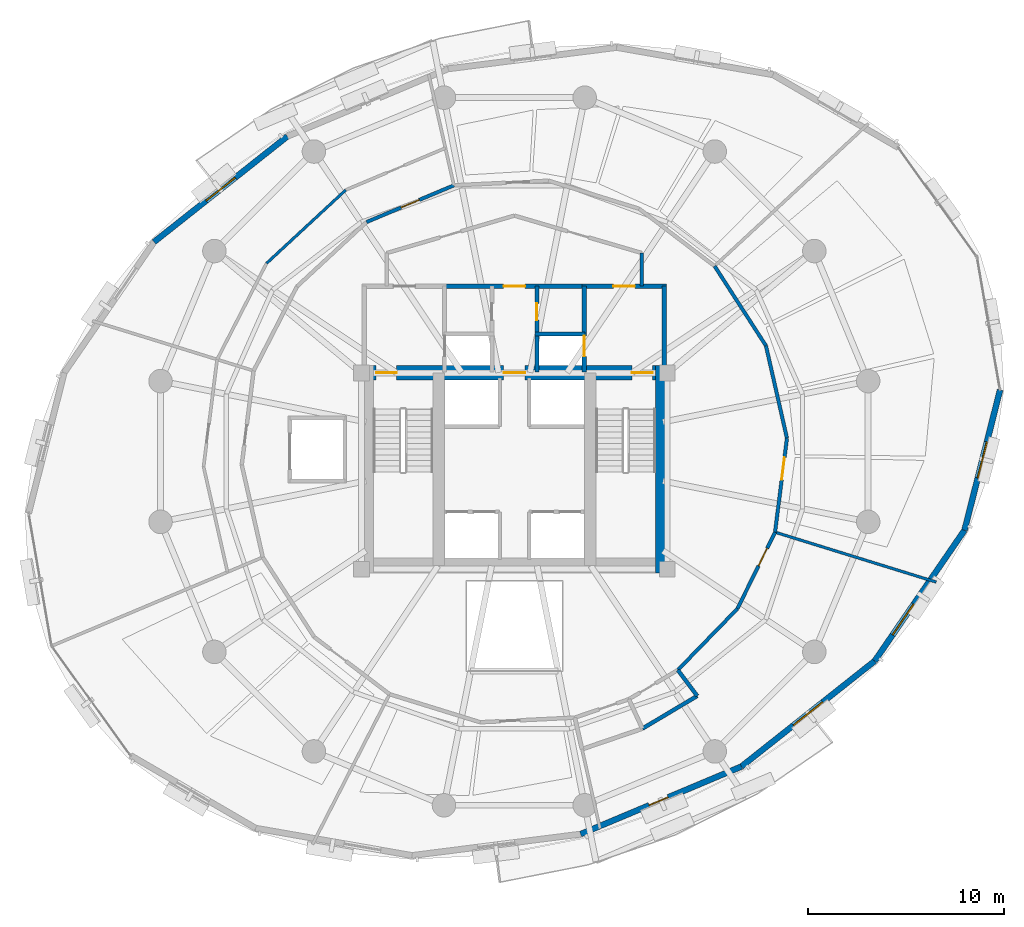
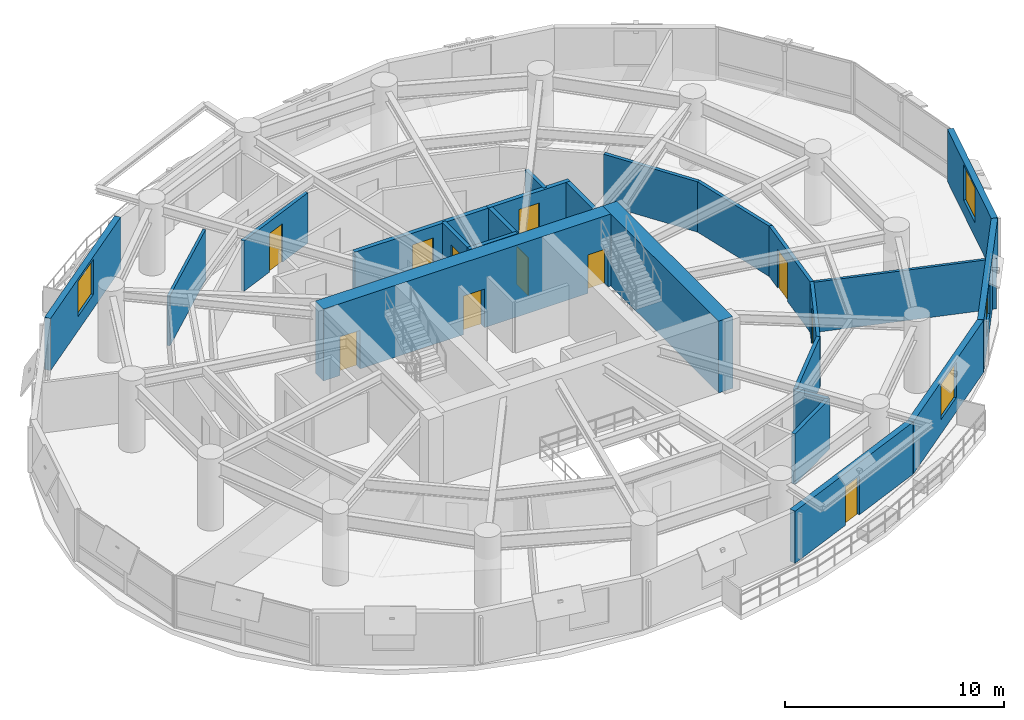
# One storey, part 11 of 14: 24 walls, 11 doors, 4 windows, 15 openings.
"""IFC4 building model written with IfcOpenShell, lengths in metres."""

from ifc_helpers import new_model, si_unit, direction, frame, frame_2d, origin, place, context, subcontext, project, spatial, rectangle, extrude, material, layer, layer_set, type_object, element, fill, save


model = new_model("IFC4")

# Units and contexts
model_context = context("Model", 3, precision=1e-05, world=origin(), true_north=direction((0.0, 1.0)))
body_context = subcontext(model_context, "Body", "Model", "MODEL_VIEW")
ifc_project = project(units=[si_unit("LENGTHUNIT", "METRE"), si_unit("AREAUNIT", "SQUARE_METRE"), si_unit("VOLUMEUNIT", "CUBIC_METRE"), si_unit("PLANEANGLEUNIT", "RADIAN"), si_unit("MASSUNIT", "GRAM", prefix="KILO"), si_unit("THERMODYNAMICTEMPERATUREUNIT", "KELVIN"), si_unit("POWERUNIT", "WATT")], contexts=[model_context])

# Site, building, storey
site_placement = place(None, origin())
site = spatial("IfcSite", under=ifc_project, at=site_placement, CompositionType="ELEMENT")
building_placement = place(site_placement, origin())
building = spatial("IfcBuilding", under=site, at=building_placement, Name="Ocrelia Relay Tower", CompositionType="ELEMENT")
storey_placement = place(building_placement, frame((0.0, 0.0, 129.800048828125)))
storey = spatial("IfcBuildingStorey", under=building, at=storey_placement, Name="L30", CompositionType="ELEMENT", Elevation=129.800048828125)

# Wall, openings, doors
ifc_material_1 = material(Name="Concrete C60/75", Category="concrete")
ifc_layer_1 = layer(ifc_material_1, 0.75, Name="Concrete C60/75")
ifc_layer_set_1 = layer_set([ifc_layer_1], Name="Concrete C60/75")
wall_type_1 = type_object("IfcWallType", Name="CW-CORE-750", PredefinedType="SHEAR", material=ifc_layer_set_1)
wall_1_placement = place(storey_placement, frame((26.072021484375, 30.012939453125, 0.0), z_axis=(0.0, 0.0, 1.0), x_axis=(1.0, 0.0, 0.0)))
wall_1 = element("IfcWall", 1, at=wall_1_placement, inside=storey, type_object=wall_type_1, Name="L30 Core Shear Wall N", PredefinedType="SHEAR", context=body_context, shape_type="SweptSolid", body=[
    extrude(rectangle(XDim=15.865966796875, YDim=0.75, at=frame_2d((7.93310546875, 0.0))), origin(), (0.0, 0.0, 1.0), 4.0),
])
opening_1_placement = place(wall_1_placement, frame((0.8779296875, 0.0, 0.0)))
opening_1 = element("IfcOpeningElement", 2, at=opening_1_placement, cuts=wall_1, Name="Opening D-FD90", PredefinedType="OPENING", context=body_context, shape_type="SweptSolid", body=[
    extrude(rectangle(XDim=1.050048828125, YDim=2.14990234375, at=frame_2d((0.52490234375, 1.074951171875))), frame((0.0, 0.385009765625, 0.0), z_axis=(0.0, -1.0, 0.0), x_axis=(1.0, 0.0, 0.0)), (0.0, 0.0, 1.0), 0.77001953125),
])
opening_2_placement = place(wall_1_placement, frame((13.927978515625, 0.0, 0.0)))
opening_2 = element("IfcOpeningElement", 3, at=opening_2_placement, cuts=wall_1, Name="Opening D-FD90", PredefinedType="OPENING", context=body_context, shape_type="SweptSolid", body=[
    extrude(rectangle(XDim=1.050048828125, YDim=2.14990234375, at=frame_2d((0.52490234375, 1.074951171875))), frame((0.0, 0.385009765625, 0.0), z_axis=(0.0, -1.0, 0.0), x_axis=(1.0, 0.0, 0.0)), (0.0, 0.0, 1.0), 0.77001953125),
])
opening_3_placement = place(wall_1_placement, frame((7.3779296875, 0.0, 0.0)))
opening_3 = element("IfcOpeningElement", 4, at=opening_3_placement, cuts=wall_1, Name="Opening D-FD60", PredefinedType="OPENING", context=body_context, shape_type="SweptSolid", body=[
    extrude(rectangle(XDim=1.10009765625, YDim=2.14990234375, at=frame_2d((0.550048828125, 1.074951171875))), frame((0.0, 0.385009765625, 0.0), z_axis=(0.0, -1.0, 0.0), x_axis=(1.0, 0.0, 0.0)), (0.0, 0.0, 1.0), 0.77001953125),
])
ifc_material_2 = material(Name="Timber-core 60-min acoustic fire door", Category="wood")
door_type_1 = type_object("IfcDoorType", Name="DR-LOBBY-FD60-1100", OperationType="NOTDEFINED", PredefinedType="DOOR", material=ifc_material_2)
door_1_placement = place(opening_3_placement, origin())
door_1 = element("IfcDoor", 5, at=door_1_placement, inside=storey, type_object=door_type_1, Name="L30 Core Lift Lobby North Fire Door", OperationType="SINGLE_SWING_RIGHT", OverallHeight=2.14990234375, OverallWidth=1.10009765625, PredefinedType="DOOR", context=body_context, shape_type="SweptSolid", body=[
    extrude(rectangle(XDim=1.10009765625, YDim=2.14990234375, at=frame_2d((0.550048828125, 1.074951171875))), frame((0.0, 0.02490234375, 0.0), z_axis=(0.0, -1.0, 0.0), x_axis=(1.0, 0.0, 0.0)), (0.0, 0.0, 1.0), 0.050048828125),
])
fill(opening_3, door_1)
ifc_material_3 = material(Name="Steel S355 90-min fire door", Category="steel")
door_type_2 = type_object("IfcDoorType", Name="DR-STAIR-FD90-1050", OperationType="NOTDEFINED", PredefinedType="DOOR", material=ifc_material_3)
door_2_placement = place(opening_1_placement, origin())
door_2 = element("IfcDoor", 6, at=door_2_placement, inside=storey, type_object=door_type_2, Name="L30 Stair ST1 Fire Door", OperationType="SINGLE_SWING_RIGHT", OverallHeight=2.14990234375, OverallWidth=1.050048828125, PredefinedType="DOOR", context=body_context, shape_type="SweptSolid", body=[
    extrude(rectangle(XDim=1.050048828125, YDim=2.14990234375, at=frame_2d((0.52490234375, 1.074951171875))), frame((0.0, 0.02490234375, 0.0), z_axis=(0.0, -1.0, 0.0), x_axis=(1.0, 0.0, 0.0)), (0.0, 0.0, 1.0), 0.050048828125),
])
fill(opening_1, door_2)
door_3_placement = place(opening_2_placement, origin())
door_3 = element("IfcDoor", 7, at=door_3_placement, inside=storey, type_object=door_type_2, Name="L30 Stair ST2 Fire Door", OperationType="SINGLE_SWING_LEFT", OverallHeight=2.14990234375, OverallWidth=1.050048828125, PredefinedType="DOOR", context=body_context, shape_type="SweptSolid", body=[
    extrude(rectangle(XDim=1.050048828125, YDim=2.14990234375, at=frame_2d((0.52490234375, 1.074951171875))), frame((0.0, 0.02490234375, 0.0), z_axis=(0.0, -1.0, 0.0), x_axis=(1.0, 0.0, 0.0)), (0.0, 0.0, 1.0), 0.050048828125),
])
fill(opening_2, door_3)

# Walls
wall_2_placement = place(storey_placement, frame((41.56298828125, 19.81201171875, 0.0), z_axis=(0.0, 0.0, 1.0), x_axis=(0.0, 1.0, 0.0)))
element("IfcWall", 8, at=wall_2_placement, inside=storey, type_object=wall_type_1, Name="L30 Core Shear Wall E", PredefinedType="SHEAR", context=body_context, shape_type="SweptSolid", body=[
    extrude(rectangle(XDim=10.575927734375, YDim=0.75, at=frame_2d((5.2880859375, 0.0))), origin(), (0.0, 0.0, 1.0), 4.0),
])
ifc_material_4 = material(Name="Gypsum Fireboard Partition EI60", Category="gypsum")
ifc_layer_2 = layer(ifc_material_4, 0.179931640625, Name="Gypsum Fireboard Partition EI60")
ifc_layer_set_2 = layer_set([ifc_layer_2], Name="Gypsum Fireboard Partition EI60")
wall_type_2 = type_object("IfcWallType", Name="W-CORR-EI60-180", PredefinedType="PARTITIONING", material=ifc_layer_set_2)
wall_3_placement = place(storey_placement, frame((40.5, 36.122802734375, 0.0), z_axis=(0.0, 0.0, 1.0), x_axis=(0.0, -1.0, 0.0)))
element("IfcWall", 9, at=wall_3_placement, inside=storey, type_object=wall_type_2, Name="L30 Smoke Lobby East Return", PredefinedType="PARTITIONING", context=body_context, shape_type="SweptSolid", body=[
    extrude(rectangle(XDim=1.69287109375, YDim=0.179931640625, at=frame_2d((0.846435546875, 0.0))), origin(), (0.0, 0.0, 1.0), 2.800048828125),
])
wall_4_placement = place(storey_placement, frame((42.33837890625, 14.853759765625, 0.0), z_axis=(0.0, 0.0, 1.0), x_axis=(0.697172044259, 0.716903857364, 0.0)))
element("IfcWall", 10, at=wall_4_placement, inside=storey, type_object=wall_type_2, Name="L30 Fiber Patch Store Corridor Partition 1", PredefinedType="PARTITIONING", context=body_context, shape_type="SweptSolid", body=[
    extrude(rectangle(XDim=4.355224609375, YDim=0.179931640625, at=frame_2d((2.177734375, 0.0))), origin(), (0.0, 0.0, 1.0), 2.800048828125),
])

# Wall, opening, door
wall_5_placement = place(storey_placement, frame((45.374755859375, 17.97607421875, 0.0), z_axis=(0.0, 0.0, 1.0), x_axis=(0.441509083926, 0.897256779752, 0.0)))
wall_5 = element("IfcWall", 11, at=wall_5_placement, inside=storey, type_object=wall_type_2, Name="L30 Fiber Patch Store Corridor Partition 2", PredefinedType="PARTITIONING", context=body_context, shape_type="SweptSolid", body=[
    extrude(rectangle(XDim=4.355224609375, YDim=0.179931640625, at=frame_2d((2.177734375, 0.0))), origin(), (0.0, 0.0, 1.0), 2.800048828125),
])
opening_4_placement = place(wall_5_placement, frame((2.44140625, 0.0, 0.0)))
opening_4 = element("IfcOpeningElement", 12, at=opening_4_placement, cuts=wall_5, Name="Opening D-RM100", PredefinedType="OPENING", context=body_context, shape_type="SweptSolid", body=[
    extrude(rectangle(XDim=1.0, YDim=2.14990234375, at=frame_2d((0.5, 1.074951171875))), frame((0.0, 0.10009765625, 0.0), z_axis=(0.0, -1.0, 0.0), x_axis=(1.0, 0.0, 0.0)), (0.0, 0.0, 1.0), 0.199951171875),
])
ifc_material_5 = material(Name="Acoustic oak veneer fire door", Category="wood")
door_type_3 = type_object("IfcDoorType", Name="DR-ROOM-FD60-1000", OperationType="NOTDEFINED", PredefinedType="DOOR", material=ifc_material_5)
door_4_placement = place(opening_4_placement, origin())
door_4 = element("IfcDoor", 13, at=door_4_placement, inside=storey, type_object=door_type_3, Name="L30 Fiber Patch Store Entrance Door", OperationType="SINGLE_SWING_RIGHT", OverallHeight=2.14990234375, OverallWidth=1.0, PredefinedType="DOOR", context=body_context, shape_type="SweptSolid", body=[
    extrude(rectangle(XDim=1.0, YDim=2.14990234375, at=frame_2d((0.5, 1.074951171875))), frame((0.0, 0.02490234375, 0.0), z_axis=(0.0, -1.0, 0.0), x_axis=(1.0, 0.0, 0.0)), (0.0, 0.0, 1.0), 0.050048828125),
])
fill(opening_4, door_4)

wall_6_placement = place(storey_placement, frame((47.297607421875, 21.8837890625, 0.0), z_axis=(0.0, 0.0, 1.0), x_axis=(0.125296416972, 0.992119351638, 0.0)))
wall_6 = element("IfcWall", 14, at=wall_6_placement, inside=storey, type_object=wall_type_2, Name="L30 Optical Switching Hall A Corridor Partition 1", PredefinedType="PARTITIONING", context=body_context, shape_type="SweptSolid", body=[
    extrude(rectangle(XDim=4.834228515625, YDim=0.179931640625, at=frame_2d((2.4169921875, 0.0))), origin(), (0.0, 0.0, 1.0), 2.800048828125),
])
opening_5_placement = place(wall_6_placement, frame((2.688232421875, 0.0, 0.0)))
opening_5 = element("IfcOpeningElement", 15, at=opening_5_placement, cuts=wall_6, Name="Opening D-RM115", PredefinedType="OPENING", context=body_context, shape_type="SweptSolid", body=[
    extrude(rectangle(XDim=1.14990234375, YDim=2.14990234375, at=frame_2d((0.574951171875, 1.074951171875))), frame((0.0, 0.10009765625, 0.0), z_axis=(0.0, -1.0, 0.0), x_axis=(1.0, 0.0, 0.0)), (0.0, 0.0, 1.0), 0.199951171875),
])
ifc_material_6 = material(Name="Wide acoustic oak veneer fire door", Category="wood")
door_type_4 = type_object("IfcDoorType", Name="DR-ROOM-1150", OperationType="NOTDEFINED", PredefinedType="DOOR", material=ifc_material_6)
door_5_placement = place(opening_5_placement, origin())
door_5 = element("IfcDoor", 16, at=door_5_placement, inside=storey, type_object=door_type_4, Name="L30 Optical Switching Hall A Entrance Door", OperationType="SINGLE_SWING_LEFT", OverallHeight=2.14990234375, OverallWidth=1.14990234375, PredefinedType="DOOR", context=body_context, shape_type="SweptSolid", body=[
    extrude(rectangle(XDim=1.14990234375, YDim=2.14990234375, at=frame_2d((0.574951171875, 1.074951171875))), frame((0.0, 0.02490234375, 0.0), z_axis=(0.0, -1.0, 0.0), x_axis=(1.0, 0.0, 0.0)), (0.0, 0.0, 1.0), 0.050048828125),
])
fill(opening_5, door_5)

# Walls
wall_7_placement = place(storey_placement, frame((47.9033203125, 26.679931640625, 0.0), z_axis=(0.0, 0.0, 1.0), x_axis=(-0.221542525612, 0.975150711093, 0.0)))
element("IfcWall", 17, at=wall_7_placement, inside=storey, type_object=wall_type_2, Name="L30 Optical Switching Hall A Corridor Partition 2", PredefinedType="PARTITIONING", context=body_context, shape_type="SweptSolid", body=[
    extrude(rectangle(XDim=4.83447265625, YDim=0.179931640625, at=frame_2d((2.417236328125, 0.0))), origin(), (0.0, 0.0, 1.0), 2.800048828125),
])
wall_8_placement = place(storey_placement, frame((46.832275390625, 31.394287109375, 0.0), z_axis=(0.0, 0.0, 1.0), x_axis=(-0.541732258193, 0.840551105188, 0.0)))
element("IfcWall", 18, at=wall_8_placement, inside=storey, type_object=wall_type_2, Name="L30 Optical Switching Hall A Corridor Partition 3", PredefinedType="PARTITIONING", context=body_context, shape_type="SweptSolid", body=[
    extrude(rectangle(XDim=4.834228515625, YDim=0.179931640625, at=frame_2d((2.4169921875, 0.0))), origin(), (0.0, 0.0, 1.0), 2.800048828125),
])

# Wall, opening, door
wall_9_placement = place(storey_placement, frame((30.916015625, 39.57421875, 0.0), z_axis=(0.0, 0.0, 1.0), x_axis=(-0.921850072215, -0.387546699582, 0.0)))
wall_9 = element("IfcWall", 19, at=wall_9_placement, inside=storey, type_object=wall_type_2, Name="L30 Equipment Staging Store Corridor Partition 1", PredefinedType="PARTITIONING", context=body_context, shape_type="SweptSolid", body=[
    extrude(rectangle(XDim=4.834228515625, YDim=0.179931640625, at=frame_2d((2.4169921875, 0.0))), origin(), (0.0, 0.0, 1.0), 2.800048828125),
])
opening_6_placement = place(wall_9_placement, frame((1.917236328125, 0.0, 0.0)))
opening_6 = element("IfcOpeningElement", 20, at=opening_6_placement, cuts=wall_9, Name="Opening D-RM100", PredefinedType="OPENING", context=body_context, shape_type="SweptSolid", body=[
    extrude(rectangle(XDim=1.0, YDim=2.14990234375, at=frame_2d((0.5, 1.074951171875))), frame((0.0, 0.10009765625, 0.0), z_axis=(0.0, -1.0, 0.0), x_axis=(1.0, 0.0, 0.0)), (0.0, 0.0, 1.0), 0.199951171875),
])
door_6_placement = place(opening_6_placement, origin())
door_6 = element("IfcDoor", 21, at=door_6_placement, inside=storey, type_object=door_type_3, Name="L30 Equipment Staging Store Entrance Door", OperationType="SINGLE_SWING_LEFT", OverallHeight=2.14990234375, OverallWidth=1.0, PredefinedType="DOOR", context=body_context, shape_type="SweptSolid", body=[
    extrude(rectangle(XDim=1.0, YDim=2.14990234375, at=frame_2d((0.5, 1.074951171875))), frame((0.0, 0.02490234375, 0.0), z_axis=(0.0, -1.0, 0.0), x_axis=(1.0, 0.0, 0.0)), (0.0, 0.0, 1.0), 0.050048828125),
])
fill(opening_6, door_6)

# Wall, opening, window
ifc_material_7 = material(Name="Precast concrete C40/50 with oxide terracotta", Category="masonry")
ifc_layer_3 = layer(ifc_material_7, 0.300048828125, Name="Precast concrete C40/50 with oxide terracotta")
ifc_layer_set_3 = layer_set([ifc_layer_3], Name="Precast concrete C40/50 with oxide terracotta")
wall_type_3 = type_object("IfcWallType", Name="W-EXT-TERR-300", PredefinedType="SOLIDWALL", material=ifc_layer_set_3)
wall_10_placement = place(storey_placement, frame((22.422119140625, 42.0712890625, 0.0), z_axis=(0.0, 0.0, 1.0), x_axis=(-0.784011575573, -0.620746203667, 0.0)))
wall_10 = element("IfcWall", 22, at=wall_10_placement, inside=storey, type_object=wall_type_3, Name="L30 Oxide Terracotta Facade Wall 06", PredefinedType="SOLIDWALL", context=body_context, shape_type="SweptSolid", body=[
    extrude(rectangle(XDim=8.673095703125, YDim=0.300048828125, at=frame_2d((4.33642578125, 0.0))), origin(), (0.0, 0.0, 1.0), 2.89990234375),
])
opening_7_placement = place(wall_10_placement, frame((3.385986328125, 0.0, 0.800048828125)))
opening_7 = element("IfcOpeningElement", 23, at=opening_7_placement, cuts=wall_10, Name="Opening W-06", PredefinedType="OPENING", context=body_context, shape_type="SweptSolid", body=[
    extrude(rectangle(XDim=1.89990234375, YDim=1.949951171875, at=frame_2d((0.949951171875, 0.97509765625))), frame((0.0, 0.16015625, 0.0), z_axis=(0.0, -1.0, 0.0), x_axis=(1.0, 0.0, 0.0)), (0.0, 0.0, 1.0), 0.320068359375),
])
ifc_material_8 = material(Name="Clear double-glazed low-E glass", Category="glass")
window_type = type_object("IfcWindowType", Name="WIN-Z2-1900x2100", PartitioningType="DOUBLE_PANEL_VERTICAL", PredefinedType="WINDOW", material=ifc_material_8)
window_1_placement = place(opening_7_placement, origin())
window_1 = element("IfcWindow", 24, at=window_1_placement, inside=storey, type_object=window_type, Name="L30 Facade Module Window 06", OverallHeight=1.949951171875, OverallWidth=1.89990234375, PartitioningType="SINGLE_PANEL", PredefinedType="WINDOW", context=body_context, shape_type="SweptSolid", body=[
    extrude(rectangle(XDim=1.89990234375, YDim=1.949951171875, at=frame_2d((0.949951171875, 0.97509765625))), frame((0.0, 0.030029296875, 0.0), z_axis=(0.0, -1.0, 0.0), x_axis=(1.0, 0.0, 0.0)), (0.0, 0.0, 1.0), 0.06005859375),
])
fill(opening_7, window_1)

# Wall, opening, door
wall_11_placement = place(storey_placement, frame((37.3818359375, 6.4833984375, 0.0), z_axis=(0.0, 0.0, 1.0), x_axis=(0.921862650999, 0.387516777305, 0.0)))
wall_11 = element("IfcWall", 25, at=wall_11_placement, inside=storey, type_object=wall_type_3, Name="L30 Oxide Terracotta Facade Wall 14", PredefinedType="SOLIDWALL", context=body_context, shape_type="SweptSolid", body=[
    extrude(rectangle(XDim=8.890625, YDim=0.300048828125, at=frame_2d((4.4453125, 0.0))), origin(), (0.0, 0.0, 1.0), 2.89990234375),
])
opening_8_placement = place(wall_11_placement, frame((3.7900390625, 0.0, 0.0)))
opening_8 = element("IfcOpeningElement", 26, at=opening_8_placement, cuts=wall_11, Name="Opening DB-105", PredefinedType="OPENING", context=body_context, shape_type="SweptSolid", body=[
    extrude(rectangle(XDim=1.050048828125, YDim=2.14990234375, at=frame_2d((0.52490234375, 1.074951171875))), frame((0.0, 0.16015625, 0.0), z_axis=(0.0, -1.0, 0.0), x_axis=(1.0, 0.0, 0.0)), (0.0, 0.0, 1.0), 0.320068359375),
])
ifc_material_9 = material(Name="Thermally broken aluminium and clear glass", Category="aluminium")
door_type_5 = type_object("IfcDoorType", Name="DR-BALC-1050", OperationType="NOTDEFINED", PredefinedType="DOOR", material=ifc_material_9)
door_7_placement = place(opening_8_placement, origin())
door_7 = element("IfcDoor", 27, at=door_7_placement, inside=storey, type_object=door_type_5, Name="L30 Planted Loggia Balcony Door B2", OperationType="SINGLE_SWING_LEFT", OverallHeight=2.14990234375, OverallWidth=1.050048828125, PredefinedType="DOOR", context=body_context, shape_type="SweptSolid", body=[
    extrude(rectangle(XDim=1.050048828125, YDim=2.14990234375, at=frame_2d((0.52490234375, 1.074951171875))), frame((0.0, 0.02490234375, 0.0), z_axis=(0.0, -1.0, 0.0), x_axis=(1.0, 0.0, 0.0)), (0.0, 0.0, 1.0), 0.050048828125),
])
fill(opening_8, door_7)

# Wall, opening, window
wall_12_placement = place(storey_placement, frame((45.577880859375, 9.9287109375, 0.0), z_axis=(0.0, 0.0, 1.0), x_axis=(0.784011575573, 0.620746203667, 0.0)))
wall_12 = element("IfcWall", 28, at=wall_12_placement, inside=storey, type_object=wall_type_3, Name="L30 Oxide Terracotta Facade Wall 15", PredefinedType="SOLIDWALL", context=body_context, shape_type="SweptSolid", body=[
    extrude(rectangle(XDim=8.673095703125, YDim=0.300048828125, at=frame_2d((4.33642578125, 0.0))), origin(), (0.0, 0.0, 1.0), 2.89990234375),
])
opening_9_placement = place(wall_12_placement, frame((3.385986328125, 0.0, 0.800048828125)))
opening_9 = element("IfcOpeningElement", 29, at=opening_9_placement, cuts=wall_12, Name="Opening W-06", PredefinedType="OPENING", context=body_context, shape_type="SweptSolid", body=[
    extrude(rectangle(XDim=1.89990234375, YDim=1.949951171875, at=frame_2d((0.949951171875, 0.97509765625))), frame((0.0, 0.16015625, 0.0), z_axis=(0.0, -1.0, 0.0), x_axis=(1.0, 0.0, 0.0)), (0.0, 0.0, 1.0), 0.320068359375),
])
window_2_placement = place(opening_9_placement, origin())
window_2 = element("IfcWindow", 30, at=window_2_placement, inside=storey, type_object=window_type, Name="L30 Facade Module Window 15", OverallHeight=1.949951171875, OverallWidth=1.89990234375, PartitioningType="SINGLE_PANEL", PredefinedType="WINDOW", context=body_context, shape_type="SweptSolid", body=[
    extrude(rectangle(XDim=1.89990234375, YDim=1.949951171875, at=frame_2d((0.949951171875, 0.97509765625))), frame((0.0, 0.030029296875, 0.0), z_axis=(0.0, -1.0, 0.0), x_axis=(1.0, 0.0, 0.0)), (0.0, 0.0, 1.0), 0.06005859375),
])
fill(opening_9, window_2)

wall_13_placement = place(storey_placement, frame((52.377685546875, 15.3125, 0.0), z_axis=(0.0, 0.0, 1.0), x_axis=(0.566158848857, 0.824296159072, 0.0)))
wall_13 = element("IfcWall", 31, at=wall_13_placement, inside=storey, type_object=wall_type_3, Name="L30 Oxide Terracotta Facade Wall 16", PredefinedType="SOLIDWALL", context=body_context, shape_type="SweptSolid", body=[
    extrude(rectangle(XDim=8.094970703125, YDim=0.300048828125, at=frame_2d((4.04736328125, 0.0))), origin(), (0.0, 0.0, 1.0), 2.89990234375),
])
opening_10_placement = place(wall_13_placement, frame((1.614990234375, 0.0, 0.800048828125)))
opening_10 = element("IfcOpeningElement", 32, at=opening_10_placement, cuts=wall_13, Name="Opening W-06", PredefinedType="OPENING", context=body_context, shape_type="SweptSolid", body=[
    extrude(rectangle(XDim=1.89990234375, YDim=1.949951171875, at=frame_2d((0.949951171875, 0.97509765625))), frame((0.0, 0.16015625, 0.0), z_axis=(0.0, -1.0, 0.0), x_axis=(1.0, 0.0, 0.0)), (0.0, 0.0, 1.0), 0.320068359375),
])
window_3_placement = place(opening_10_placement, origin())
window_3 = element("IfcWindow", 33, at=window_3_placement, inside=storey, type_object=window_type, Name="L30 Facade Module Window 16", OverallHeight=1.949951171875, OverallWidth=1.89990234375, PartitioningType="SINGLE_PANEL", PredefinedType="WINDOW", context=body_context, shape_type="SweptSolid", body=[
    extrude(rectangle(XDim=1.89990234375, YDim=1.949951171875, at=frame_2d((0.949951171875, 0.97509765625))), frame((0.0, 0.030029296875, 0.0), z_axis=(0.0, -1.0, 0.0), x_axis=(1.0, 0.0, 0.0)), (0.0, 0.0, 1.0), 0.06005859375),
])
fill(opening_10, window_3)

wall_14_placement = place(storey_placement, frame((56.960693359375, 21.985107421875, 0.0), z_axis=(0.0, 0.0, 1.0), x_axis=(0.245615389449, 0.969367360945, 0.0)))
wall_14 = element("IfcWall", 34, at=wall_14_placement, inside=storey, type_object=wall_type_3, Name="L30 Oxide Terracotta Facade Wall 17", PredefinedType="SOLIDWALL", context=body_context, shape_type="SweptSolid", body=[
    extrude(rectangle(XDim=7.38330078125, YDim=0.300048828125, at=frame_2d((3.691650390625, 0.0))), origin(), (0.0, 0.0, 1.0), 2.89990234375),
])
opening_11_placement = place(wall_14_placement, frame((2.741943359375, 0.0, 0.800048828125)))
opening_11 = element("IfcOpeningElement", 35, at=opening_11_placement, cuts=wall_14, Name="Opening W-06", PredefinedType="OPENING", context=body_context, shape_type="SweptSolid", body=[
    extrude(rectangle(XDim=1.89990234375, YDim=1.949951171875, at=frame_2d((0.949951171875, 0.97509765625))), frame((0.0, 0.16015625, 0.0), z_axis=(0.0, -1.0, 0.0), x_axis=(1.0, 0.0, 0.0)), (0.0, 0.0, 1.0), 0.320068359375),
])
window_4_placement = place(opening_11_placement, origin())
window_4 = element("IfcWindow", 36, at=window_4_placement, inside=storey, type_object=window_type, Name="L30 Facade Module Window 17", OverallHeight=1.949951171875, OverallWidth=1.89990234375, PartitioningType="SINGLE_PANEL", PredefinedType="WINDOW", context=body_context, shape_type="SweptSolid", body=[
    extrude(rectangle(XDim=1.89990234375, YDim=1.949951171875, at=frame_2d((0.949951171875, 0.97509765625))), frame((0.0, 0.030029296875, 0.0), z_axis=(0.0, -1.0, 0.0), x_axis=(1.0, 0.0, 0.0)), (0.0, 0.0, 1.0), 0.06005859375),
])
fill(opening_11, window_4)

# Wall, opening, door
ifc_material_10 = material(Name="Concrete C50/60", Category="concrete")
ifc_layer_4 = layer(ifc_material_10, 0.219970703125, Name="Concrete C50/60")
ifc_layer_set_4 = layer_set([ifc_layer_4], Name="Concrete C50/60")
wall_type_4 = type_object("IfcWallType", Name="W-FFL-EI120-220", PredefinedType="SOLIDWALL", material=ifc_layer_set_4)
wall_15_placement = place(storey_placement, frame((37.56005859375, 30.050048828125, 0.0), z_axis=(0.0, 0.0, 1.0), x_axis=(0.0, 1.0, 0.0)))
wall_15 = element("IfcWall", 37, at=wall_15_placement, inside=storey, type_object=wall_type_4, Name="L30 E Fire Service Lift Lobby West Wall", PredefinedType="SOLIDWALL", context=body_context, shape_type="SweptSolid", body=[
    extrude(rectangle(XDim=4.3798828125, YDim=0.219970703125, at=frame_2d((2.18994140625, 0.0))), origin(), (0.0, 0.0, 1.0), 2.800048828125),
])
opening_12_placement = place(wall_15_placement, frame((0.800048828125, 0.0, 0.0)))
opening_12 = element("IfcOpeningElement", 38, at=opening_12_placement, cuts=wall_15, Name="Opening LD-FFL2", PredefinedType="OPENING", context=body_context, shape_type="SweptSolid", body=[
    extrude(rectangle(XDim=1.050048828125, YDim=2.10009765625, at=frame_2d((0.52490234375, 1.050048828125))), frame((0.0, 0.1201171875, 0.0), z_axis=(0.0, -1.0, 0.0), x_axis=(1.0, 0.0, 0.0)), (0.0, 0.0, 1.0), 0.239990234375),
])
ifc_material_11 = material(Name="Brushed stainless steel S355 lift landing door", Category="steel")
door_type_6 = type_object("IfcDoorType", Name="DR-LIFT-LAND-1050", OperationType="DOUBLE_DOOR_SLIDING", PredefinedType="USERDEFINED", material=ifc_material_11)
door_8_placement = place(opening_12_placement, origin())
door_8 = element("IfcDoor", 39, at=door_8_placement, inside=storey, type_object=door_type_6, Name="L30 Firefighting Lift FFL2 Sliding Landing Door", ObjectType="LANDING DOOR", OperationType="DOUBLE_DOOR_SLIDING", OverallHeight=2.10009765625, OverallWidth=1.050048828125, PredefinedType="USERDEFINED", context=body_context, shape_type="SweptSolid", body=[
    extrude(rectangle(XDim=1.050048828125, YDim=2.10009765625, at=frame_2d((0.52490234375, 1.050048828125))), frame((0.0, 0.02490234375, 0.0), z_axis=(0.0, -1.0, 0.0), x_axis=(1.0, 0.0, 0.0)), (0.0, 0.0, 1.0), 0.050048828125),
])
fill(opening_12, door_8)

# Wall
wall_16_placement = place(storey_placement, frame((41.64990234375, 30.050048828125, 0.0), z_axis=(0.0, 0.0, 1.0), x_axis=(0.0, 1.0, 0.0)))
element("IfcWall", 40, at=wall_16_placement, inside=storey, type_object=wall_type_4, Name="L30 E Fire Service Lift Lobby East Wall", PredefinedType="SOLIDWALL", context=body_context, shape_type="SweptSolid", body=[
    extrude(rectangle(XDim=4.3798828125, YDim=0.219970703125, at=frame_2d((2.18994140625, 0.0))), origin(), (0.0, 0.0, 1.0), 2.800048828125),
])

# Wall, opening, door
wall_17_placement = place(storey_placement, frame((37.449951171875, 34.429931640625, 0.0), z_axis=(0.0, 0.0, 1.0), x_axis=(1.0, 0.0, 0.0)))
wall_17 = element("IfcWall", 41, at=wall_17_placement, inside=storey, type_object=wall_type_4, Name="L30 E Fire Service Lift Lobby North Wall", PredefinedType="SOLIDWALL", context=body_context, shape_type="SweptSolid", body=[
    extrude(rectangle(XDim=4.31005859375, YDim=0.219970703125, at=frame_2d((2.155029296875, 0.0))), origin(), (0.0, 0.0, 1.0), 2.800048828125),
])
opening_13_placement = place(wall_17_placement, frame((1.60009765625, 0.0, 0.0)))
opening_13 = element("IfcOpeningElement", 42, at=opening_13_placement, cuts=wall_17, Name="Opening D-FD60", PredefinedType="OPENING", context=body_context, shape_type="SweptSolid", body=[
    extrude(rectangle(XDim=1.10009765625, YDim=2.14990234375, at=frame_2d((0.550048828125, 1.074951171875))), frame((0.0, 0.1201171875, 0.0), z_axis=(0.0, -1.0, 0.0), x_axis=(1.0, 0.0, 0.0)), (0.0, 0.0, 1.0), 0.239990234375),
])
door_9_placement = place(opening_13_placement, origin())
door_9 = element("IfcDoor", 43, at=door_9_placement, inside=storey, type_object=door_type_1, Name="L30 E Fire Service Lift Lobby Exit Door", OperationType="SINGLE_SWING_LEFT", OverallHeight=2.14990234375, OverallWidth=1.10009765625, PredefinedType="DOOR", context=body_context, shape_type="SweptSolid", body=[
    extrude(rectangle(XDim=1.10009765625, YDim=2.14990234375, at=frame_2d((0.550048828125, 1.074951171875))), frame((0.0, 0.02490234375, 0.0), z_axis=(0.0, -1.0, 0.0), x_axis=(1.0, 0.0, 0.0)), (0.0, 0.0, 1.0), 0.050048828125),
])
fill(opening_13, door_9)

wall_18_placement = place(storey_placement, frame((30.43994140625, 34.429931640625, 0.0), z_axis=(0.0, 0.0, 1.0), x_axis=(1.0, 0.0, 0.0)))
wall_18 = element("IfcWall", 44, at=wall_18_placement, inside=storey, type_object=wall_type_4, Name="L30 North Core Vestibule Wall", PredefinedType="SOLIDWALL", context=body_context, shape_type="SweptSolid", body=[
    extrude(rectangle(XDim=7.1201171875, YDim=0.219970703125, at=frame_2d((3.56005859375, 0.0))), origin(), (0.0, 0.0, 1.0), 2.800048828125),
])
opening_14_placement = place(wall_18_placement, frame((3.010009765625, 0.0, 0.0)))
opening_14 = element("IfcOpeningElement", 45, at=opening_14_placement, cuts=wall_18, Name="Opening D-FD60", PredefinedType="OPENING", context=body_context, shape_type="SweptSolid", body=[
    extrude(rectangle(XDim=1.10009765625, YDim=2.14990234375, at=frame_2d((0.550048828125, 1.074951171875))), frame((0.0, 0.1201171875, 0.0), z_axis=(0.0, -1.0, 0.0), x_axis=(1.0, 0.0, 0.0)), (0.0, 0.0, 1.0), 0.239990234375),
])
door_10_placement = place(opening_14_placement, origin())
door_10 = element("IfcDoor", 46, at=door_10_placement, inside=storey, type_object=door_type_1, Name="L30 North Core Vestibule Corridor Door", OperationType="SINGLE_SWING_LEFT", OverallHeight=2.14990234375, OverallWidth=1.10009765625, PredefinedType="DOOR", context=body_context, shape_type="SweptSolid", body=[
    extrude(rectangle(XDim=1.10009765625, YDim=2.14990234375, at=frame_2d((0.550048828125, 1.074951171875))), frame((0.0, 0.02490234375, 0.0), z_axis=(0.0, -1.0, 0.0), x_axis=(1.0, 0.0, 0.0)), (0.0, 0.0, 1.0), 0.050048828125),
])
fill(opening_14, door_10)

# Walls
ifc_material_12 = material(Name="Acoustic Fireboard Partition EI60", Category="gypsum")
ifc_layer_5 = layer(ifc_material_12, 0.139892578125, Name="Acoustic Fireboard Partition EI60")
ifc_layer_set_5 = layer_set([ifc_layer_5], Name="Acoustic Fireboard Partition EI60")
wall_type_5 = type_object("IfcWallType", Name="W-PART-140", PredefinedType="PARTITIONING", material=ifc_layer_set_5)
wall_19_placement = place(storey_placement, frame((47.297607421875, 21.8837890625, 0.0), z_axis=(0.0, 0.0, 1.0), x_axis=(0.955272723626, -0.295726264467, 0.0)))
element("IfcWall", 47, at=wall_19_placement, inside=storey, type_object=wall_type_5, Name="L30 Fiber Patch Store Radial Partition", PredefinedType="PARTITIONING", context=body_context, shape_type="SweptSolid", body=[
    extrude(rectangle(XDim=8.604736328125, YDim=0.139892578125, at=frame_2d((4.30224609375, 0.0))), origin(), (0.0, 0.0, 1.0), 2.800048828125),
])
wall_20_placement = place(storey_placement, frame((25.403076171875, 39.33984375, 0.0), z_axis=(0.0, 0.0, 1.0), x_axis=(-0.733717325353, -0.679454845061, 0.0)))
element("IfcWall", 48, at=wall_20_placement, inside=storey, type_object=wall_type_5, Name="L30 Perimeter Equipment Staging Store Mid-Ring Partition 2", PredefinedType="PARTITIONING", context=body_context, shape_type="SweptSolid", body=[
    extrude(rectangle(XDim=5.511474609375, YDim=0.139892578125, at=frame_2d((2.755859375, 0.0))), origin(), (0.0, 0.0, 1.0), 2.800048828125),
])
ifc_material_13 = material(Name="Moisture-Resistant Fireboard Chase Wall EI60", Category="gypsum")
ifc_layer_6 = layer(ifc_material_13, 0.199951171875, Name="Moisture-Resistant Fireboard Chase Wall EI60")
ifc_layer_set_6 = layer_set([ifc_layer_6], Name="Moisture-Resistant Fireboard Chase Wall EI60")
wall_type_6 = type_object("IfcWallType", Name="W-PLUMB-200", PredefinedType="PLUMBINGWALL", material=ifc_layer_set_6)
wall_21_placement = place(storey_placement, frame((42.33837890625, 14.853759765625, 0.0), z_axis=(0.0, 0.0, 1.0), x_axis=(0.599123667948, -0.800656499695, 0.0)))
element("IfcWall", 49, at=wall_21_placement, inside=storey, type_object=wall_type_6, Name="L30 Accessible Toilet Plumbing Radial Wall", PredefinedType="PLUMBINGWALL", context=body_context, shape_type="SweptSolid", body=[
    extrude(rectangle(XDim=1.64990234375, YDim=0.199951171875, at=frame_2d((0.824951171875, 0.0))), origin(), (0.0, 0.0, 1.0), 2.800048828125),
])
wall_22_placement = place(storey_placement, frame((40.531005859375, 11.865966796875, 0.0), z_axis=(0.0, 0.0, 1.0), x_axis=(0.858952049508, 0.512056028815, 0.0)))
element("IfcWall", 50, at=wall_22_placement, inside=storey, type_object=wall_type_6, Name="L30 Accessible Toilet Back Plumbing Wall", PredefinedType="PLUMBINGWALL", context=body_context, shape_type="SweptSolid", body=[
    extrude(rectangle(XDim=3.255126953125, YDim=0.199951171875, at=frame_2d((1.62744140625, 0.0))), origin(), (0.0, 0.0, 1.0), 2.800048828125),
])
ifc_layer_7 = layer(ifc_material_10, 0.199951171875, Name="Concrete C50/60")
ifc_layer_set_7 = layer_set([ifc_layer_7], Name="Concrete C50/60")
wall_type_7 = type_object("IfcWallType", Name="W-SHAFT-EI120-200", PredefinedType="SOLIDWALL", material=ifc_layer_set_7)
wall_23_placement = place(storey_placement, frame((35.050048828125, 32.0, 0.0), z_axis=(0.0, 0.0, 1.0), x_axis=(1.0, 0.0, 0.0)))
element("IfcWall", 51, at=wall_23_placement, inside=storey, type_object=wall_type_7, Name="L30 FFL2 Hoistway North Wall", PredefinedType="SOLIDWALL", context=body_context, shape_type="SweptSolid", body=[
    extrude(rectangle(XDim=2.550048828125, YDim=0.199951171875, at=frame_2d((1.27490234375, 0.0))), origin(), (0.0, 0.0, 1.0), 2.800048828125),
])

# Wall, opening, door
wall_24_placement = place(storey_placement, frame((35.14990234375, 30.050048828125, 0.0), z_axis=(0.0, 0.0, 1.0), x_axis=(0.0, 1.0, 0.0)))
wall_24 = element("IfcWall", 52, at=wall_24_placement, inside=storey, type_object=wall_type_7, Name="L30 FFL2 and Service Vestibule Wall", PredefinedType="SOLIDWALL", context=body_context, shape_type="SweptSolid", body=[
    extrude(rectangle(XDim=4.3798828125, YDim=0.199951171875, at=frame_2d((2.18994140625, 0.0))), origin(), (0.0, 0.0, 1.0), 2.800048828125),
])
opening_15_placement = place(wall_24_placement, frame((2.64990234375, 0.0, 0.0)))
opening_15 = element("IfcOpeningElement", 53, at=opening_15_placement, cuts=wall_24, Name="Opening D-RS86", PredefinedType="OPENING", context=body_context, shape_type="SweptSolid", body=[
    extrude(rectangle(XDim=0.860107421875, YDim=2.050048828125, at=frame_2d((0.43017578125, 1.02490234375))), frame((0.0, 0.10986328125, 0.0), z_axis=(0.0, -1.0, 0.0), x_axis=(1.0, 0.0, 0.0)), (0.0, 0.0, 1.0), 0.219970703125),
])
ifc_material_14 = material(Name="Steel S355 riser access fire door", Category="steel")
door_type_7 = type_object("IfcDoorType", Name="DR-RISER-TRAP-860", OperationType="NOTDEFINED", PredefinedType="TRAPDOOR", material=ifc_material_14)
door_11_placement = place(opening_15_placement, origin())
door_11 = element("IfcDoor", 54, at=door_11_placement, inside=storey, type_object=door_type_7, Name="L30 Core Support Room E Door", OperationType="SINGLE_SWING_RIGHT", OverallHeight=2.050048828125, OverallWidth=0.860107421875, PredefinedType="TRAPDOOR", context=body_context, shape_type="SweptSolid", body=[
    extrude(rectangle(XDim=0.860107421875, YDim=2.050048828125, at=frame_2d((0.43017578125, 1.02490234375))), frame((0.0, 0.02490234375, 0.0), z_axis=(0.0, -1.0, 0.0), x_axis=(1.0, 0.0, 0.0)), (0.0, 0.0, 1.0), 0.050048828125),
])
fill(opening_15, door_11)

save(model, "model.ifc")
